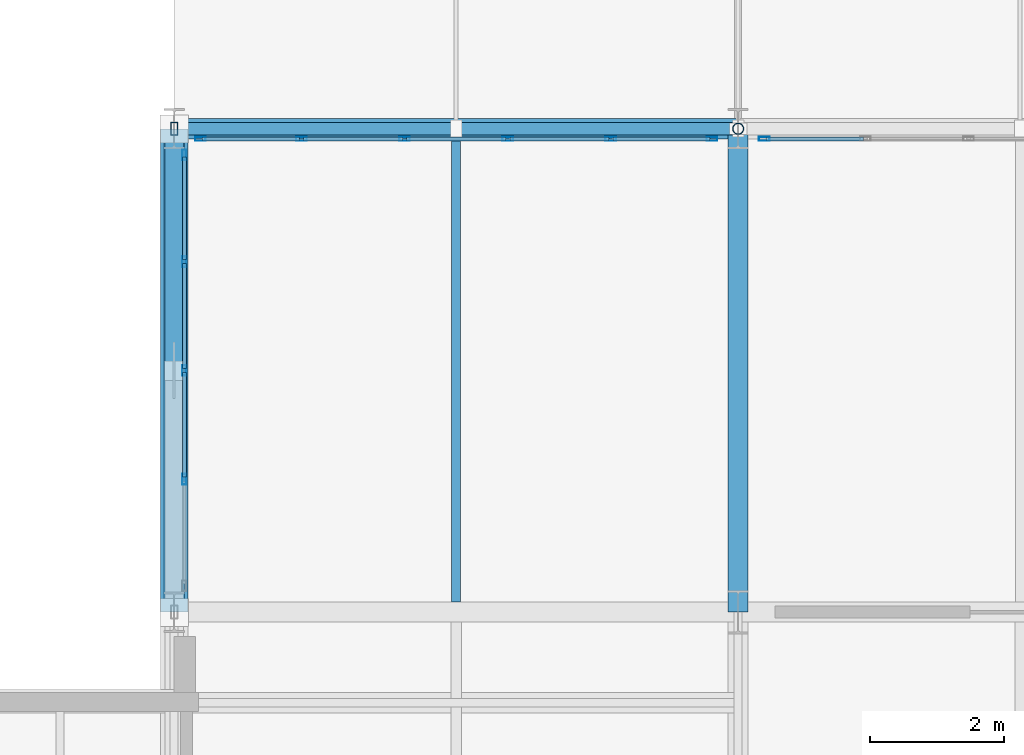
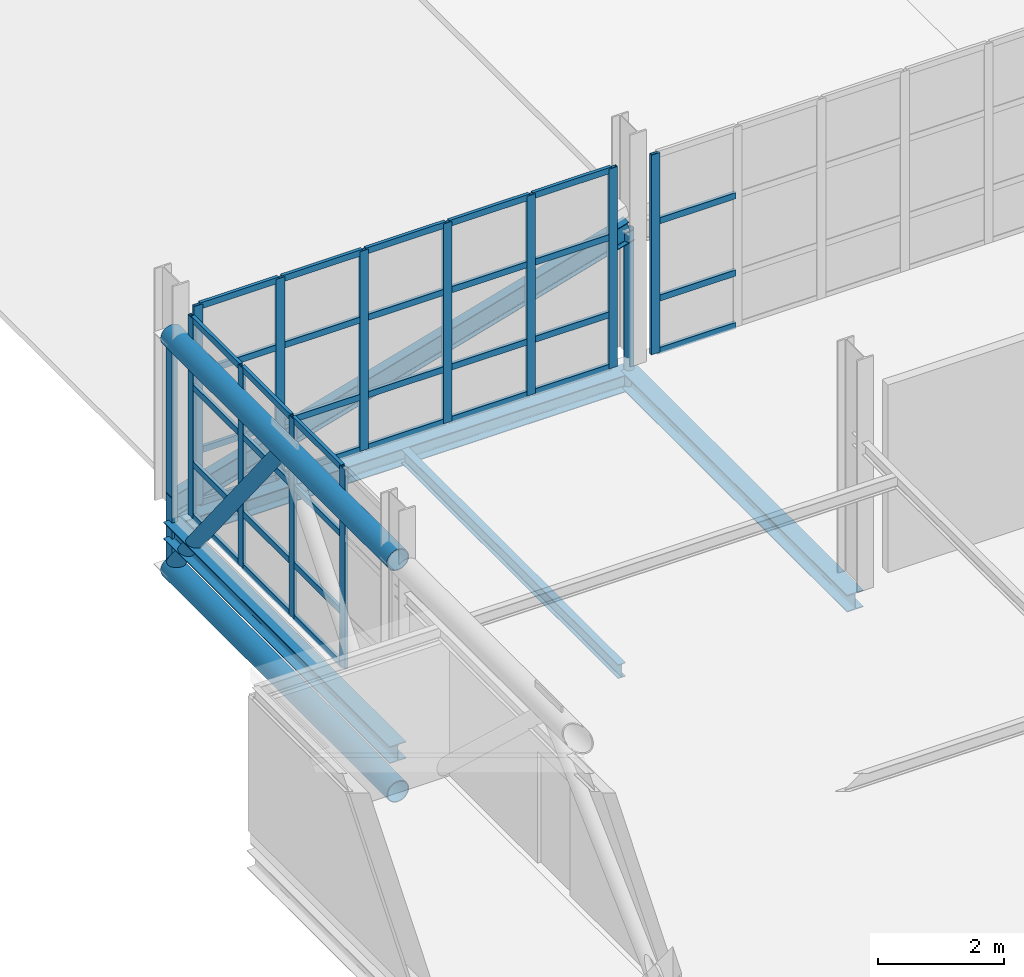
# One storey, part 18 of 130: 51 members, 5 beams, 3 elements without a shape of their own.
"""IFC4 building model written with IfcOpenShell, lengths in metres."""

from ifc_helpers import new_model, si_unit, direction, frame, origin, origin_2d, place, context, subcontext, project, spatial, hollow_rectangle, hollow_circle, i_section, extrude, material, material_profile, profile_set, type_object, element, aggregate, save


model = new_model("IFC4")

# Units and contexts
model_context = context("Model", 3, precision=1e-05, world=origin(), true_north=direction((0.0, 1.0)))
body_context = subcontext(model_context, "Body", "Model", "MODEL_VIEW")
ifc_project = project(units=[si_unit("LENGTHUNIT", "METRE"), si_unit("AREAUNIT", "SQUARE_METRE"), si_unit("VOLUMEUNIT", "CUBIC_METRE"), si_unit("PLANEANGLEUNIT", "RADIAN"), si_unit("MASSUNIT", "GRAM", prefix="KILO")], contexts=[model_context])

# Site, building, storey
site_placement = place(None, origin())
site = spatial("IfcSite", under=ifc_project, at=site_placement, CompositionType="ELEMENT")
building_placement = place(site_placement, origin())
building = spatial("IfcBuilding", under=site, at=building_placement, Name="Veltarok Museum of Natural Sciences", CompositionType="ELEMENT")
storey_placement = place(building_placement, frame((0.0, 0.0, 12.89990234375)))
storey = spatial("IfcBuildingStorey", under=building, at=storey_placement, Name="L02", CompositionType="ELEMENT", Elevation=12.89990234375)

# Curtain wall, members
ifc_material_1 = material(Name="Low-iron triple insulated glass", Category="glass")
curtain_wall_type_1 = type_object("IfcCurtainWallType", Name="Curtain Wall System CW-BRG-N-L02-1-768x388 (Bridge North Court L02 1-2 768x388cm)", PredefinedType="NOTDEFINED", material=ifc_material_1)
curtain_wall_1_placement = place(storey_placement, origin())
curtain_wall_1 = element("IfcCurtainWall", 1, at=curtain_wall_1_placement, inside=storey, type_object=curtain_wall_type_1, Name="Curtain Wall CW-BRG-N-L02-1-768x388 CW-0033", PredefinedType="NOTDEFINED")
ifc_material_2 = material(Name="Thermally broken anodised aluminium", Category="aluminium")
ifc_material_profile_1 = material_profile(ifc_material_2, hollow_rectangle(XDim=0.06005859375, YDim=0.1201171875, WallThickness=0.0048828125, at=origin_2d()), Name="CW TRANSOM 60x120x5")
ifc_profile_set_1 = profile_set([ifc_material_profile_1], Name="Thermally broken anodised aluminium")
member_type_1 = type_object("IfcMemberType", Name="Curtain Wall Horizontal Transom 60x120x5", PredefinedType="USERDEFINED", material=ifc_profile_set_1)
member_1_placement = place(storey_placement, frame((14.3798828125, 26.25, 0.030029296875), z_axis=(-1.0, 0.0, 0.0), x_axis=(0.0, -1.0, 0.0)))
member_1 = element("IfcMember", 2, at=member_1_placement, type_object=member_type_1, Name="CW-BRG-N-L02-1-768x388 transom 1.1", ObjectType="TRANSOM", PredefinedType="USERDEFINED", context=body_context, shape_type="SweptSolid", body=[
    extrude(hollow_rectangle(XDim=0.06005859375, YDim=0.1201171875, WallThickness=0.0048828125, at=origin_2d()), origin(), (0.0, 0.0, 1.0), 1.44580078125),
])
member_2_placement = place(storey_placement, frame((14.3798828125, 26.25, 1.050048828125), z_axis=(-1.0, 0.0, 0.0), x_axis=(0.0, -1.0, 0.0)))
member_2 = element("IfcMember", 3, at=member_2_placement, type_object=member_type_1, Name="CW-BRG-N-L02-1-768x388 transom 1.2", ObjectType="TRANSOM", PredefinedType="USERDEFINED", context=body_context, shape_type="SweptSolid", body=[
    extrude(hollow_rectangle(XDim=0.06005859375, YDim=0.1201171875, WallThickness=0.0048828125, at=origin_2d()), origin(), (0.0, 0.0, 1.0), 1.44580078125),
])
member_3_placement = place(storey_placement, frame((14.3798828125, 26.25, 2.550048828125), z_axis=(-1.0, 0.0, 0.0), x_axis=(0.0, -1.0, 0.0)))
member_3 = element("IfcMember", 4, at=member_3_placement, type_object=member_type_1, Name="CW-BRG-N-L02-1-768x388 transom 1.3", ObjectType="TRANSOM", PredefinedType="USERDEFINED", context=body_context, shape_type="SweptSolid", body=[
    extrude(hollow_rectangle(XDim=0.06005859375, YDim=0.1201171875, WallThickness=0.0048828125, at=origin_2d()), origin(), (0.0, 0.0, 1.0), 1.44580078125),
])
member_4_placement = place(storey_placement, frame((14.3798828125, 26.25, 3.85009765625), z_axis=(-1.0, 0.0, 0.0), x_axis=(0.0, -1.0, 0.0)))
member_4 = element("IfcMember", 5, at=member_4_placement, type_object=member_type_1, Name="CW-BRG-N-L02-1-768x388 transom 1.4", ObjectType="TRANSOM", PredefinedType="USERDEFINED", context=body_context, shape_type="SweptSolid", body=[
    extrude(hollow_rectangle(XDim=0.06005859375, YDim=0.1201171875, WallThickness=0.0048828125, at=origin_2d()), origin(), (0.0, 0.0, 1.0), 1.44580078125),
])
member_5_placement = place(storey_placement, frame((12.8740234375, 26.25, 0.030029296875), z_axis=(-1.0, 0.0, 0.0), x_axis=(0.0, -1.0, 0.0)))
member_5 = element("IfcMember", 6, at=member_5_placement, type_object=member_type_1, Name="CW-BRG-N-L02-1-768x388 transom 2.1", ObjectType="TRANSOM", PredefinedType="USERDEFINED", context=body_context, shape_type="SweptSolid", body=[
    extrude(hollow_rectangle(XDim=0.06005859375, YDim=0.1201171875, WallThickness=0.0048828125, at=origin_2d()), origin(), (0.0, 0.0, 1.0), 1.47607421875),
])
member_6_placement = place(storey_placement, frame((12.8740234375, 26.25, 1.050048828125), z_axis=(-1.0, 0.0, 0.0), x_axis=(0.0, -1.0, 0.0)))
member_6 = element("IfcMember", 7, at=member_6_placement, type_object=member_type_1, Name="CW-BRG-N-L02-1-768x388 transom 2.2", ObjectType="TRANSOM", PredefinedType="USERDEFINED", context=body_context, shape_type="SweptSolid", body=[
    extrude(hollow_rectangle(XDim=0.06005859375, YDim=0.1201171875, WallThickness=0.0048828125, at=origin_2d()), origin(), (0.0, 0.0, 1.0), 1.47607421875),
])
member_7_placement = place(storey_placement, frame((12.8740234375, 26.25, 2.550048828125), z_axis=(-1.0, 0.0, 0.0), x_axis=(0.0, -1.0, 0.0)))
member_7 = element("IfcMember", 8, at=member_7_placement, type_object=member_type_1, Name="CW-BRG-N-L02-1-768x388 transom 2.3", ObjectType="TRANSOM", PredefinedType="USERDEFINED", context=body_context, shape_type="SweptSolid", body=[
    extrude(hollow_rectangle(XDim=0.06005859375, YDim=0.1201171875, WallThickness=0.0048828125, at=origin_2d()), origin(), (0.0, 0.0, 1.0), 1.47607421875),
])
member_8_placement = place(storey_placement, frame((12.8740234375, 26.25, 3.85009765625), z_axis=(-1.0, 0.0, 0.0), x_axis=(0.0, -1.0, 0.0)))
member_8 = element("IfcMember", 9, at=member_8_placement, type_object=member_type_1, Name="CW-BRG-N-L02-1-768x388 transom 2.4", ObjectType="TRANSOM", PredefinedType="USERDEFINED", context=body_context, shape_type="SweptSolid", body=[
    extrude(hollow_rectangle(XDim=0.06005859375, YDim=0.1201171875, WallThickness=0.0048828125, at=origin_2d()), origin(), (0.0, 0.0, 1.0), 1.47607421875),
])
member_9_placement = place(storey_placement, frame((11.337890625, 26.25, 0.030029296875), z_axis=(-1.0, 0.0, 0.0), x_axis=(0.0, -1.0, 0.0)))
member_9 = element("IfcMember", 10, at=member_9_placement, type_object=member_type_1, Name="CW-BRG-N-L02-1-768x388 transom 3.1", ObjectType="TRANSOM", PredefinedType="USERDEFINED", context=body_context, shape_type="SweptSolid", body=[
    extrude(hollow_rectangle(XDim=0.06005859375, YDim=0.1201171875, WallThickness=0.0048828125, at=origin_2d()), origin(), (0.0, 0.0, 1.0), 1.475830078125),
])
member_10_placement = place(storey_placement, frame((11.337890625, 26.25, 1.050048828125), z_axis=(-1.0, 0.0, 0.0), x_axis=(0.0, -1.0, 0.0)))
member_10 = element("IfcMember", 11, at=member_10_placement, type_object=member_type_1, Name="CW-BRG-N-L02-1-768x388 transom 3.2", ObjectType="TRANSOM", PredefinedType="USERDEFINED", context=body_context, shape_type="SweptSolid", body=[
    extrude(hollow_rectangle(XDim=0.06005859375, YDim=0.1201171875, WallThickness=0.0048828125, at=origin_2d()), origin(), (0.0, 0.0, 1.0), 1.475830078125),
])
member_11_placement = place(storey_placement, frame((11.337890625, 26.25, 2.550048828125), z_axis=(-1.0, 0.0, 0.0), x_axis=(0.0, -1.0, 0.0)))
member_11 = element("IfcMember", 12, at=member_11_placement, type_object=member_type_1, Name="CW-BRG-N-L02-1-768x388 transom 3.3", ObjectType="TRANSOM", PredefinedType="USERDEFINED", context=body_context, shape_type="SweptSolid", body=[
    extrude(hollow_rectangle(XDim=0.06005859375, YDim=0.1201171875, WallThickness=0.0048828125, at=origin_2d()), origin(), (0.0, 0.0, 1.0), 1.475830078125),
])
member_12_placement = place(storey_placement, frame((11.337890625, 26.25, 3.85009765625), z_axis=(-1.0, 0.0, 0.0), x_axis=(0.0, -1.0, 0.0)))
member_12 = element("IfcMember", 13, at=member_12_placement, type_object=member_type_1, Name="CW-BRG-N-L02-1-768x388 transom 3.4", ObjectType="TRANSOM", PredefinedType="USERDEFINED", context=body_context, shape_type="SweptSolid", body=[
    extrude(hollow_rectangle(XDim=0.06005859375, YDim=0.1201171875, WallThickness=0.0048828125, at=origin_2d()), origin(), (0.0, 0.0, 1.0), 1.475830078125),
])
member_13_placement = place(storey_placement, frame((9.802001953125, 26.25, 0.030029296875), z_axis=(-1.0, 0.0, 0.0), x_axis=(0.0, -1.0, 0.0)))
member_13 = element("IfcMember", 14, at=member_13_placement, type_object=member_type_1, Name="CW-BRG-N-L02-1-768x388 transom 4.1", ObjectType="TRANSOM", PredefinedType="USERDEFINED", context=body_context, shape_type="SweptSolid", body=[
    extrude(hollow_rectangle(XDim=0.06005859375, YDim=0.1201171875, WallThickness=0.0048828125, at=origin_2d()), origin(), (0.0, 0.0, 1.0), 1.47607421875),
])
member_14_placement = place(storey_placement, frame((9.802001953125, 26.25, 1.050048828125), z_axis=(-1.0, 0.0, 0.0), x_axis=(0.0, -1.0, 0.0)))
member_14 = element("IfcMember", 15, at=member_14_placement, type_object=member_type_1, Name="CW-BRG-N-L02-1-768x388 transom 4.2", ObjectType="TRANSOM", PredefinedType="USERDEFINED", context=body_context, shape_type="SweptSolid", body=[
    extrude(hollow_rectangle(XDim=0.06005859375, YDim=0.1201171875, WallThickness=0.0048828125, at=origin_2d()), origin(), (0.0, 0.0, 1.0), 1.47607421875),
])
member_15_placement = place(storey_placement, frame((9.802001953125, 26.25, 2.550048828125), z_axis=(-1.0, 0.0, 0.0), x_axis=(0.0, -1.0, 0.0)))
member_15 = element("IfcMember", 16, at=member_15_placement, type_object=member_type_1, Name="CW-BRG-N-L02-1-768x388 transom 4.3", ObjectType="TRANSOM", PredefinedType="USERDEFINED", context=body_context, shape_type="SweptSolid", body=[
    extrude(hollow_rectangle(XDim=0.06005859375, YDim=0.1201171875, WallThickness=0.0048828125, at=origin_2d()), origin(), (0.0, 0.0, 1.0), 1.47607421875),
])
member_16_placement = place(storey_placement, frame((9.802001953125, 26.25, 3.85009765625), z_axis=(-1.0, 0.0, 0.0), x_axis=(0.0, -1.0, 0.0)))
member_16 = element("IfcMember", 17, at=member_16_placement, type_object=member_type_1, Name="CW-BRG-N-L02-1-768x388 transom 4.4", ObjectType="TRANSOM", PredefinedType="USERDEFINED", context=body_context, shape_type="SweptSolid", body=[
    extrude(hollow_rectangle(XDim=0.06005859375, YDim=0.1201171875, WallThickness=0.0048828125, at=origin_2d()), origin(), (0.0, 0.0, 1.0), 1.47607421875),
])
member_17_placement = place(storey_placement, frame((8.26611328125, 26.25, 0.030029296875), z_axis=(-1.0, 0.0, 0.0), x_axis=(0.0, -1.0, 0.0)))
member_17 = element("IfcMember", 18, at=member_17_placement, type_object=member_type_1, Name="CW-BRG-N-L02-1-768x388 transom 5.1", ObjectType="TRANSOM", PredefinedType="USERDEFINED", context=body_context, shape_type="SweptSolid", body=[
    extrude(hollow_rectangle(XDim=0.06005859375, YDim=0.1201171875, WallThickness=0.0048828125, at=origin_2d()), origin(), (0.0, 0.0, 1.0), 1.446044921875),
])
member_18_placement = place(storey_placement, frame((8.26611328125, 26.25, 1.050048828125), z_axis=(-1.0, 0.0, 0.0), x_axis=(0.0, -1.0, 0.0)))
member_18 = element("IfcMember", 19, at=member_18_placement, type_object=member_type_1, Name="CW-BRG-N-L02-1-768x388 transom 5.2", ObjectType="TRANSOM", PredefinedType="USERDEFINED", context=body_context, shape_type="SweptSolid", body=[
    extrude(hollow_rectangle(XDim=0.06005859375, YDim=0.1201171875, WallThickness=0.0048828125, at=origin_2d()), origin(), (0.0, 0.0, 1.0), 1.446044921875),
])
member_19_placement = place(storey_placement, frame((8.26611328125, 26.25, 2.550048828125), z_axis=(-1.0, 0.0, 0.0), x_axis=(0.0, -1.0, 0.0)))
member_19 = element("IfcMember", 20, at=member_19_placement, type_object=member_type_1, Name="CW-BRG-N-L02-1-768x388 transom 5.3", ObjectType="TRANSOM", PredefinedType="USERDEFINED", context=body_context, shape_type="SweptSolid", body=[
    extrude(hollow_rectangle(XDim=0.06005859375, YDim=0.1201171875, WallThickness=0.0048828125, at=origin_2d()), origin(), (0.0, 0.0, 1.0), 1.446044921875),
])
member_20_placement = place(storey_placement, frame((8.26611328125, 26.25, 3.85009765625), z_axis=(-1.0, 0.0, 0.0), x_axis=(0.0, -1.0, 0.0)))
member_20 = element("IfcMember", 21, at=member_20_placement, type_object=member_type_1, Name="CW-BRG-N-L02-1-768x388 transom 5.4", ObjectType="TRANSOM", PredefinedType="USERDEFINED", context=body_context, shape_type="SweptSolid", body=[
    extrude(hollow_rectangle(XDim=0.06005859375, YDim=0.1201171875, WallThickness=0.0048828125, at=origin_2d()), origin(), (0.0, 0.0, 1.0), 1.446044921875),
])

curtain_wall_type_2 = type_object("IfcCurtainWallType", Name="Curtain Wall System CW-BRG-N-L02-2-768x388 (Bridge North Court L02 2-3 768x388cm)", PredefinedType="NOTDEFINED", material=ifc_material_1)
curtain_wall_2_placement = place(storey_placement, origin())
curtain_wall_2 = element("IfcCurtainWall", 22, at=curtain_wall_2_placement, inside=storey, type_object=curtain_wall_type_2, Name="Curtain Wall CW-BRG-N-L02-2-768x388 CW-0034", PredefinedType="NOTDEFINED")
member_21_placement = place(storey_placement, frame((16.666015625, 26.25, 0.030029296875), z_axis=(-1.0, 0.0, 0.0), x_axis=(0.0, -1.0, 0.0)))
member_21 = element("IfcMember", 23, at=member_21_placement, type_object=member_type_1, Name="CW-BRG-N-L02-2-768x388 transom 5.1", ObjectType="TRANSOM", PredefinedType="USERDEFINED", context=body_context, shape_type="SweptSolid", body=[
    extrude(hollow_rectangle(XDim=0.06005859375, YDim=0.1201171875, WallThickness=0.0048828125, at=origin_2d()), origin(), (0.0, 0.0, 1.0), 1.446044921875),
])
member_22_placement = place(storey_placement, frame((16.666015625, 26.25, 1.050048828125), z_axis=(-1.0, 0.0, 0.0), x_axis=(0.0, -1.0, 0.0)))
member_22 = element("IfcMember", 24, at=member_22_placement, type_object=member_type_1, Name="CW-BRG-N-L02-2-768x388 transom 5.2", ObjectType="TRANSOM", PredefinedType="USERDEFINED", context=body_context, shape_type="SweptSolid", body=[
    extrude(hollow_rectangle(XDim=0.06005859375, YDim=0.1201171875, WallThickness=0.0048828125, at=origin_2d()), origin(), (0.0, 0.0, 1.0), 1.446044921875),
])
member_23_placement = place(storey_placement, frame((16.666015625, 26.25, 2.550048828125), z_axis=(-1.0, 0.0, 0.0), x_axis=(0.0, -1.0, 0.0)))
member_23 = element("IfcMember", 25, at=member_23_placement, type_object=member_type_1, Name="CW-BRG-N-L02-2-768x388 transom 5.3", ObjectType="TRANSOM", PredefinedType="USERDEFINED", context=body_context, shape_type="SweptSolid", body=[
    extrude(hollow_rectangle(XDim=0.06005859375, YDim=0.1201171875, WallThickness=0.0048828125, at=origin_2d()), origin(), (0.0, 0.0, 1.0), 1.446044921875),
])

curtain_wall_type_3 = type_object("IfcCurtainWallType", Name="Curtain Wall System CW-BRG-W-L02-CD-648x388 (Bridge West Forecourt L02 C-D 648x388cm)", PredefinedType="NOTDEFINED", material=ifc_material_1)
curtain_wall_3_placement = place(storey_placement, origin())
curtain_wall_3 = element("IfcCurtainWall", 26, at=curtain_wall_3_placement, inside=storey, type_object=curtain_wall_type_3, Name="Curtain Wall CW-BRG-W-L02-CD-648x388 CW-0036", PredefinedType="NOTDEFINED")
member_24_placement = place(storey_placement, frame((6.550048828125, 25.97998046875, 0.030029296875), z_axis=(0.0, -1.0, 0.0), x_axis=(1.0, 0.0, 0.0)))
member_24 = element("IfcMember", 27, at=member_24_placement, type_object=member_type_1, Name="CW-BRG-W-L02-CD-648x388 transom 1.1", ObjectType="TRANSOM", PredefinedType="USERDEFINED", context=body_context, shape_type="SweptSolid", body=[
    extrude(hollow_rectangle(XDim=0.06005859375, YDim=0.1201171875, WallThickness=0.0048828125, at=origin_2d()), origin(), (0.0, 0.0, 1.0), 1.530029296875),
])
member_25_placement = place(storey_placement, frame((6.550048828125, 25.97998046875, 1.050048828125), z_axis=(0.0, -1.0, 0.0), x_axis=(1.0, 0.0, 0.0)))
member_25 = element("IfcMember", 28, at=member_25_placement, type_object=member_type_1, Name="CW-BRG-W-L02-CD-648x388 transom 1.2", ObjectType="TRANSOM", PredefinedType="USERDEFINED", context=body_context, shape_type="SweptSolid", body=[
    extrude(hollow_rectangle(XDim=0.06005859375, YDim=0.1201171875, WallThickness=0.0048828125, at=origin_2d()), origin(), (0.0, 0.0, 1.0), 1.530029296875),
])
member_26_placement = place(storey_placement, frame((6.550048828125, 25.97998046875, 2.550048828125), z_axis=(0.0, -1.0, 0.0), x_axis=(1.0, 0.0, 0.0)))
member_26 = element("IfcMember", 29, at=member_26_placement, type_object=member_type_1, Name="CW-BRG-W-L02-CD-648x388 transom 1.3", ObjectType="TRANSOM", PredefinedType="USERDEFINED", context=body_context, shape_type="SweptSolid", body=[
    extrude(hollow_rectangle(XDim=0.06005859375, YDim=0.1201171875, WallThickness=0.0048828125, at=origin_2d()), origin(), (0.0, 0.0, 1.0), 1.530029296875),
])
member_27_placement = place(storey_placement, frame((6.550048828125, 25.97998046875, 3.85009765625), z_axis=(0.0, -1.0, 0.0), x_axis=(1.0, 0.0, 0.0)))
member_27 = element("IfcMember", 30, at=member_27_placement, type_object=member_type_1, Name="CW-BRG-W-L02-CD-648x388 transom 1.4", ObjectType="TRANSOM", PredefinedType="USERDEFINED", context=body_context, shape_type="SweptSolid", body=[
    extrude(hollow_rectangle(XDim=0.06005859375, YDim=0.1201171875, WallThickness=0.0048828125, at=origin_2d()), origin(), (0.0, 0.0, 1.0), 1.530029296875),
])
member_28_placement = place(storey_placement, frame((6.550048828125, 24.389892578125, 0.030029296875), z_axis=(0.0, -1.0, 0.0), x_axis=(1.0, 0.0, 0.0)))
member_28 = element("IfcMember", 31, at=member_28_placement, type_object=member_type_1, Name="CW-BRG-W-L02-CD-648x388 transom 2.1", ObjectType="TRANSOM", PredefinedType="USERDEFINED", context=body_context, shape_type="SweptSolid", body=[
    extrude(hollow_rectangle(XDim=0.06005859375, YDim=0.1201171875, WallThickness=0.0048828125, at=origin_2d()), origin(), (0.0, 0.0, 1.0), 1.559814453125),
])
member_29_placement = place(storey_placement, frame((6.550048828125, 24.389892578125, 1.050048828125), z_axis=(0.0, -1.0, 0.0), x_axis=(1.0, 0.0, 0.0)))
member_29 = element("IfcMember", 32, at=member_29_placement, type_object=member_type_1, Name="CW-BRG-W-L02-CD-648x388 transom 2.2", ObjectType="TRANSOM", PredefinedType="USERDEFINED", context=body_context, shape_type="SweptSolid", body=[
    extrude(hollow_rectangle(XDim=0.06005859375, YDim=0.1201171875, WallThickness=0.0048828125, at=origin_2d()), origin(), (0.0, 0.0, 1.0), 1.559814453125),
])
member_30_placement = place(storey_placement, frame((6.550048828125, 24.389892578125, 2.550048828125), z_axis=(0.0, -1.0, 0.0), x_axis=(1.0, 0.0, 0.0)))
member_30 = element("IfcMember", 33, at=member_30_placement, type_object=member_type_1, Name="CW-BRG-W-L02-CD-648x388 transom 2.3", ObjectType="TRANSOM", PredefinedType="USERDEFINED", context=body_context, shape_type="SweptSolid", body=[
    extrude(hollow_rectangle(XDim=0.06005859375, YDim=0.1201171875, WallThickness=0.0048828125, at=origin_2d()), origin(), (0.0, 0.0, 1.0), 1.559814453125),
])
member_31_placement = place(storey_placement, frame((6.550048828125, 24.389892578125, 3.85009765625), z_axis=(0.0, -1.0, 0.0), x_axis=(1.0, 0.0, 0.0)))
member_31 = element("IfcMember", 34, at=member_31_placement, type_object=member_type_1, Name="CW-BRG-W-L02-CD-648x388 transom 2.4", ObjectType="TRANSOM", PredefinedType="USERDEFINED", context=body_context, shape_type="SweptSolid", body=[
    extrude(hollow_rectangle(XDim=0.06005859375, YDim=0.1201171875, WallThickness=0.0048828125, at=origin_2d()), origin(), (0.0, 0.0, 1.0), 1.559814453125),
])
member_32_placement = place(storey_placement, frame((6.550048828125, 22.77001953125, 0.030029296875), z_axis=(0.0, -1.0, 0.0), x_axis=(1.0, 0.0, 0.0)))
member_32 = element("IfcMember", 35, at=member_32_placement, type_object=member_type_1, Name="CW-BRG-W-L02-CD-648x388 transom 3.1", ObjectType="TRANSOM", PredefinedType="USERDEFINED", context=body_context, shape_type="SweptSolid", body=[
    extrude(hollow_rectangle(XDim=0.06005859375, YDim=0.1201171875, WallThickness=0.0048828125, at=origin_2d()), origin(), (0.0, 0.0, 1.0), 1.56005859375),
])
member_33_placement = place(storey_placement, frame((6.550048828125, 22.77001953125, 1.050048828125), z_axis=(0.0, -1.0, 0.0), x_axis=(1.0, 0.0, 0.0)))
member_33 = element("IfcMember", 36, at=member_33_placement, type_object=member_type_1, Name="CW-BRG-W-L02-CD-648x388 transom 3.2", ObjectType="TRANSOM", PredefinedType="USERDEFINED", context=body_context, shape_type="SweptSolid", body=[
    extrude(hollow_rectangle(XDim=0.06005859375, YDim=0.1201171875, WallThickness=0.0048828125, at=origin_2d()), origin(), (0.0, 0.0, 1.0), 1.56005859375),
])
member_34_placement = place(storey_placement, frame((6.550048828125, 22.77001953125, 2.550048828125), z_axis=(0.0, -1.0, 0.0), x_axis=(1.0, 0.0, 0.0)))
member_34 = element("IfcMember", 37, at=member_34_placement, type_object=member_type_1, Name="CW-BRG-W-L02-CD-648x388 transom 3.3", ObjectType="TRANSOM", PredefinedType="USERDEFINED", context=body_context, shape_type="SweptSolid", body=[
    extrude(hollow_rectangle(XDim=0.06005859375, YDim=0.1201171875, WallThickness=0.0048828125, at=origin_2d()), origin(), (0.0, 0.0, 1.0), 1.56005859375),
])
member_35_placement = place(storey_placement, frame((6.550048828125, 22.77001953125, 3.85009765625), z_axis=(0.0, -1.0, 0.0), x_axis=(1.0, 0.0, 0.0)))
member_35 = element("IfcMember", 38, at=member_35_placement, type_object=member_type_1, Name="CW-BRG-W-L02-CD-648x388 transom 3.4", ObjectType="TRANSOM", PredefinedType="USERDEFINED", context=body_context, shape_type="SweptSolid", body=[
    extrude(hollow_rectangle(XDim=0.06005859375, YDim=0.1201171875, WallThickness=0.0048828125, at=origin_2d()), origin(), (0.0, 0.0, 1.0), 1.56005859375),
])

# Member
ifc_material_profile_2 = material_profile(ifc_material_2, hollow_rectangle(XDim=0.06005859375, YDim=0.159912109375, WallThickness=0.0048828125, at=origin_2d()), Name="CW MULLION 60x160x5")
ifc_profile_set_2 = profile_set([ifc_material_profile_2], Name="Thermally broken anodised aluminium")
member_type_2 = type_object("IfcMemberType", Name="Curtain Wall Vertical Mullion 60x160x5", PredefinedType="MULLION", material=ifc_profile_set_2)
member_36_placement = place(storey_placement, frame((14.409912109375, 26.25, 0.0), z_axis=(0.0, 0.0, 1.0), x_axis=(0.0, -1.0, 0.0)))
member_36 = element("IfcMember", 39, at=member_36_placement, type_object=member_type_2, Name="CW-BRG-N-L02-1-768x388 mullion 1", PredefinedType="MULLION", context=body_context, shape_type="SweptSolid", body=[
    extrude(hollow_rectangle(XDim=0.06005859375, YDim=0.159912109375, WallThickness=0.0048828125, at=origin_2d()), origin(), (0.0, 0.0, 1.0), 3.880126953125),
])

member_37_placement = place(storey_placement, frame((12.904052734375, 26.25, 0.0), z_axis=(0.0, 0.0, 1.0), x_axis=(0.0, -1.0, 0.0)))
member_37 = element("IfcMember", 40, at=member_37_placement, type_object=member_type_2, Name="CW-BRG-N-L02-1-768x388 mullion 2", PredefinedType="MULLION", context=body_context, shape_type="SweptSolid", body=[
    extrude(hollow_rectangle(XDim=0.06005859375, YDim=0.159912109375, WallThickness=0.0048828125, at=origin_2d()), origin(), (0.0, 0.0, 1.0), 3.880126953125),
])

member_38_placement = place(storey_placement, frame((11.367919921875, 26.25, 0.0), z_axis=(0.0, 0.0, 1.0), x_axis=(0.0, -1.0, 0.0)))
member_38 = element("IfcMember", 41, at=member_38_placement, type_object=member_type_2, Name="CW-BRG-N-L02-1-768x388 mullion 3", PredefinedType="MULLION", context=body_context, shape_type="SweptSolid", body=[
    extrude(hollow_rectangle(XDim=0.06005859375, YDim=0.159912109375, WallThickness=0.0048828125, at=origin_2d()), origin(), (0.0, 0.0, 1.0), 3.880126953125),
])

member_39_placement = place(storey_placement, frame((9.83203125, 26.25, 0.0), z_axis=(0.0, 0.0, 1.0), x_axis=(0.0, -1.0, 0.0)))
member_39 = element("IfcMember", 42, at=member_39_placement, type_object=member_type_2, Name="CW-BRG-N-L02-1-768x388 mullion 4", PredefinedType="MULLION", context=body_context, shape_type="SweptSolid", body=[
    extrude(hollow_rectangle(XDim=0.06005859375, YDim=0.159912109375, WallThickness=0.0048828125, at=origin_2d()), origin(), (0.0, 0.0, 1.0), 3.880126953125),
])

member_40_placement = place(storey_placement, frame((8.2958984375, 26.25, 0.0), z_axis=(0.0, 0.0, 1.0), x_axis=(0.0, -1.0, 0.0)))
member_40 = element("IfcMember", 43, at=member_40_placement, type_object=member_type_2, Name="CW-BRG-N-L02-1-768x388 mullion 5", PredefinedType="MULLION", context=body_context, shape_type="SweptSolid", body=[
    extrude(hollow_rectangle(XDim=0.06005859375, YDim=0.159912109375, WallThickness=0.0048828125, at=origin_2d()), origin(), (0.0, 0.0, 1.0), 3.880126953125),
])

member_41_placement = place(storey_placement, frame((6.7900390625, 26.25, 0.0), z_axis=(0.0, 0.0, 1.0), x_axis=(0.0, -1.0, 0.0)))
member_41 = element("IfcMember", 44, at=member_41_placement, type_object=member_type_2, Name="CW-BRG-N-L02-1-768x388 mullion 6", PredefinedType="MULLION", context=body_context, shape_type="SweptSolid", body=[
    extrude(hollow_rectangle(XDim=0.06005859375, YDim=0.159912109375, WallThickness=0.0048828125, at=origin_2d()), origin(), (0.0, 0.0, 1.0), 3.880126953125),
])

aggregate(curtain_wall_1, [member_36, member_37, member_38, member_39, member_40, member_41, member_1, member_2, member_3, member_4, member_5, member_6, member_7, member_8, member_9, member_10, member_11, member_12, member_13, member_14, member_15, member_16, member_17, member_18, member_19, member_20])

member_42_placement = place(storey_placement, frame((15.18994140625, 26.25, 0.0), z_axis=(0.0, 0.0, 1.0), x_axis=(0.0, -1.0, 0.0)))
member_42 = element("IfcMember", 45, at=member_42_placement, type_object=member_type_2, Name="CW-BRG-N-L02-2-768x388 mullion 6", PredefinedType="MULLION", context=body_context, shape_type="SweptSolid", body=[
    extrude(hollow_rectangle(XDim=0.06005859375, YDim=0.159912109375, WallThickness=0.0048828125, at=origin_2d()), origin(), (0.0, 0.0, 1.0), 3.880126953125),
])

aggregate(curtain_wall_2, [member_42, member_21, member_22, member_23])

member_43_placement = place(storey_placement, frame((6.550048828125, 26.010009765625, 0.0), z_axis=(0.0, 0.0, 1.0), x_axis=(1.0, 0.0, 0.0)))
member_43 = element("IfcMember", 46, at=member_43_placement, type_object=member_type_2, Name="CW-BRG-W-L02-CD-648x388 mullion 1", PredefinedType="MULLION", context=body_context, shape_type="SweptSolid", body=[
    extrude(hollow_rectangle(XDim=0.06005859375, YDim=0.159912109375, WallThickness=0.0048828125, at=origin_2d()), origin(), (0.0, 0.0, 1.0), 3.880126953125),
])

member_44_placement = place(storey_placement, frame((6.550048828125, 24.419921875, 0.0), z_axis=(0.0, 0.0, 1.0), x_axis=(1.0, 0.0, 0.0)))
member_44 = element("IfcMember", 47, at=member_44_placement, type_object=member_type_2, Name="CW-BRG-W-L02-CD-648x388 mullion 2", PredefinedType="MULLION", context=body_context, shape_type="SweptSolid", body=[
    extrude(hollow_rectangle(XDim=0.06005859375, YDim=0.159912109375, WallThickness=0.0048828125, at=origin_2d()), origin(), (0.0, 0.0, 1.0), 3.880126953125),
])

member_45_placement = place(storey_placement, frame((6.550048828125, 22.800048828125, 0.0), z_axis=(0.0, 0.0, 1.0), x_axis=(1.0, 0.0, 0.0)))
member_45 = element("IfcMember", 48, at=member_45_placement, type_object=member_type_2, Name="CW-BRG-W-L02-CD-648x388 mullion 3", PredefinedType="MULLION", context=body_context, shape_type="SweptSolid", body=[
    extrude(hollow_rectangle(XDim=0.06005859375, YDim=0.159912109375, WallThickness=0.0048828125, at=origin_2d()), origin(), (0.0, 0.0, 1.0), 3.880126953125),
])

member_46_placement = place(storey_placement, frame((6.550048828125, 21.179931640625, 0.0), z_axis=(0.0, 0.0, 1.0), x_axis=(1.0, 0.0, 0.0)))
member_46 = element("IfcMember", 49, at=member_46_placement, type_object=member_type_2, Name="CW-BRG-W-L02-CD-648x388 mullion 4", PredefinedType="MULLION", context=body_context, shape_type="SweptSolid", body=[
    extrude(hollow_rectangle(XDim=0.06005859375, YDim=0.159912109375, WallThickness=0.0048828125, at=origin_2d()), origin(), (0.0, 0.0, 1.0), 3.880126953125),
])

aggregate(curtain_wall_3, [member_43, member_44, member_45, member_46, member_24, member_25, member_26, member_27, member_28, member_29, member_30, member_31, member_32, member_33, member_34, member_35])

ifc_material_3 = material(Name="Oxide-red painted Steel S355J2", Category="steel")
ifc_material_profile_3 = material_profile(ifc_material_3, hollow_rectangle(XDim=0.10009765625, YDim=0.199951171875, WallThickness=0.008056640625, at=origin_2d()), Name="RHS 200x100x8")
ifc_profile_set_3 = profile_set([ifc_material_profile_3], Name="Oxide-red painted Steel S355J2")
member_type_3 = type_object("IfcMemberType", Name="Monitor and Transfer Vertical Post RHS 200x100x8", PredefinedType="STRUT", material=ifc_profile_set_3)
member_47_placement = place(storey_placement, frame((6.39990234375, 26.39990234375, -1.169921875), z_axis=(0.0, 0.0, 1.0), x_axis=(1.0, 0.0, 0.0)))
element("IfcMember", 50, at=member_47_placement, inside=storey, type_object=member_type_3, Name="Transfer Truss Post 1 Y=26.4", PredefinedType="STRUT", context=body_context, shape_type="SweptSolid", body=[
    extrude(hollow_rectangle(XDim=0.10009765625, YDim=0.199951171875, WallThickness=0.008056640625, at=origin_2d()), origin(), (0.0, 0.0, 1.0), 4.5),
])

# Beams
ifc_material_4 = material(Name="Steel S355J2", Category="steel")
ifc_material_profile_4 = material_profile(ifc_material_4, i_section(OverallWidth=0.300048828125, OverallDepth=0.330078125, WebThickness=0.009521484375, FlangeThickness=0.0166015625, FilletRadius=0.027099609375, at=origin_2d()), Name="HEA 340")
ifc_profile_set_4 = profile_set([ifc_material_profile_4], Name="Steel S355J2")
beam_type_1 = type_object("IfcBeamType", Name="Perimeter Upper Spandrel HEA 340", PredefinedType="SPANDREL", material=ifc_profile_set_4)
beam_1_placement = place(storey_placement, frame((6.39990234375, 26.39990234375, -0.414794921875), z_axis=(1.0, 0.0, 0.0), x_axis=(0.0, 1.0, 0.0)))
element("IfcBeam", 51, at=beam_1_placement, inside=storey, type_object=beam_type_1, Name="Beam BM-SP05 L02 1-2/D", PredefinedType="SPANDREL", context=body_context, shape_type="SweptSolid", body=[
    extrude(i_section(OverallWidth=0.300048828125, OverallDepth=0.330078125, WebThickness=0.009521484375, FlangeThickness=0.0166015625, FilletRadius=0.027099609375, at=origin_2d()), origin(), (0.0, 0.0, 1.0), 8.400146484375),
])
for number, where, z_axis, x_axis, name in (
    (52, (6.39990234375, 19.199951171875, -0.414794921875), (0.0, 1.0, 0.0), (-1.0, 0.0, 0.0), "Beam BM-SP05 L02 1/C-D"),
    (53, (14.800048828125, 19.199951171875, -0.414794921875), (0.0, 1.0, 0.0), (-1.0, 0.0, 0.0), "Beam BM-SP05 L02 2/C-D"),
):
    element("IfcBeam", number, at=place(storey_placement, frame(where, z_axis=z_axis, x_axis=x_axis)), inside=storey, type_object=beam_type_1, Name=name, PredefinedType="SPANDREL", context=body_context, shape_type="SweptSolid", body=[
        extrude(i_section(OverallWidth=0.300048828125, OverallDepth=0.330078125, WebThickness=0.009521484375, FlangeThickness=0.0166015625, FilletRadius=0.027099609375, at=origin_2d()), origin(), (0.0, 0.0, 1.0), 7.199951171875),
    ])

# Member
ifc_material_profile_5 = material_profile(ifc_material_3, hollow_circle(Radius=0.084228515625, WallThickness=0.008056640625, at=origin_2d()), Name="CHS 168.3x8")
ifc_profile_set_5 = profile_set([ifc_material_profile_5], Name="Oxide-red painted Steel S355J2")
member_type_4 = type_object("IfcMemberType", Name="Sawtooth Truss Vertical Strut CHS 168.3x8", PredefinedType="STRUT", material=ifc_profile_set_5)
member_48_placement = place(storey_placement, frame((14.800048828125, 26.39990234375, -0.599853515625), z_axis=(0.0, 0.0, 1.0), x_axis=(1.0, 0.0, 0.0)))
element("IfcMember", 54, at=member_48_placement, inside=storey, type_object=member_type_4, Name="Auditorium Ridge King-Post Y=26.4", PredefinedType="STRUT", context=body_context, shape_type="SweptSolid", body=[
    extrude(hollow_circle(Radius=0.084228515625, WallThickness=0.008056640625, at=origin_2d()), origin(), (0.0, 0.0, 1.0), 3.06103515625),
])

# Beams
ifc_material_profile_6 = material_profile(ifc_material_4, i_section(OverallWidth=0.179931640625, OverallDepth=0.39990234375, WebThickness=0.008544921875, FlangeThickness=0.013427734375, FilletRadius=0.02099609375, at=origin_2d()), Name="IPE 400")
ifc_profile_set_6 = profile_set([ifc_material_profile_6], Name="Steel S355J2")
beam_type_2 = type_object("IfcBeamType", Name="Sawtooth and Folded Roof Rafter IPE 400", PredefinedType="BEAM", material=ifc_profile_set_6)
beam_2_placement = place(storey_placement, frame((6.39990234375, 26.39990234375, 0.05126953125), z_axis=(0.961225035596, 0.0, 0.275765173551), x_axis=(0.0, 1.0, 0.0)))
element("IfcBeam", 55, at=beam_2_placement, inside=storey, type_object=beam_type_2, Name="Auditorium Roof Rafter Y=26.4 1", PredefinedType="BEAM", context=body_context, shape_type="SweptSolid", body=[
    extrude(i_section(OverallWidth=0.179931640625, OverallDepth=0.39990234375, WebThickness=0.008544921875, FlangeThickness=0.013427734375, FilletRadius=0.02099609375, at=origin_2d()), origin(), (0.0, 0.0, 1.0), 8.739013671875),
])
ifc_material_profile_7 = material_profile(ifc_material_4, i_section(OverallWidth=0.135009765625, OverallDepth=0.27001953125, WebThickness=0.006591796875, FlangeThickness=0.01025390625, FilletRadius=0.014892578125, at=origin_2d()), Name="IPE 270")
ifc_profile_set_7 = profile_set([ifc_material_profile_7], Name="Steel S355J2")
beam_type_3 = type_object("IfcBeamType", Name="Short-Bay Composite Joist IPE 270", PredefinedType="JOIST", material=ifc_profile_set_7)
beam_3_placement = place(storey_placement, frame((10.60009765625, 19.347900390625, -0.385009765625), z_axis=(0.0, 1.0, 0.0), x_axis=(-1.0, 0.0, 0.0)))
element("IfcBeam", 56, at=beam_3_placement, inside=storey, type_object=beam_type_3, Name="Secondary Joist BM-J04 L02 1-2/C-D.1", PredefinedType="JOIST", context=body_context, shape_type="SweptSolid", body=[
    extrude(i_section(OverallWidth=0.135009765625, OverallDepth=0.27001953125, WebThickness=0.006591796875, FlangeThickness=0.01025390625, FilletRadius=0.014892578125, at=origin_2d()), origin(), (0.0, 0.0, 1.0), 6.904052734375),
])

# Members
ifc_material_profile_8 = material_profile(ifc_material_3, hollow_circle(Radius=0.203125, WallThickness=0.01611328125, at=origin_2d()), Name="CHS 406.4x16")
ifc_profile_set_8 = profile_set([ifc_material_profile_8], Name="Oxide-red painted Steel S355J2")
member_type_5 = type_object("IfcMemberType", Name="Transfer Truss Chord CHS 406.4x16", PredefinedType="CHORD", material=ifc_profile_set_8)
for number, where, z_axis, x_axis, name in (
    (57, (6.39990234375, 19.199951171875, -1.169921875), (0.0, 1.0, 0.0), (-1.0, 0.0, 0.0), "Transfer Truss BC 1 3"),
    (58, (6.39990234375, 19.199951171875, 3.330078125), (0.0, 1.0, 0.0), (-1.0, 0.0, 0.0), "Transfer Truss TC 1 3"),
):
    element("IfcMember", number, at=place(storey_placement, frame(where, z_axis=z_axis, x_axis=x_axis)), inside=storey, type_object=member_type_5, Name=name, PredefinedType="CHORD", context=body_context, shape_type="SweptSolid", body=[
        extrude(hollow_circle(Radius=0.203125, WallThickness=0.01611328125, at=origin_2d()), origin(), (0.0, 0.0, 1.0), 7.199951171875),
    ])
ifc_material_profile_9 = material_profile(ifc_material_3, hollow_circle(Radius=0.136474609375, WallThickness=0.012451171875, at=origin_2d()), Name="CHS 273x12.5")
ifc_profile_set_9 = profile_set([ifc_material_profile_9], Name="Oxide-red painted Steel S355J2")
member_type_6 = type_object("IfcMemberType", Name="Transfer Truss Web Diagonal CHS 273x12.5", PredefinedType="BRACE", material=ifc_profile_set_9)
member_49_placement = place(storey_placement, frame((6.39990234375, 22.800048828125, 3.330078125), z_axis=(0.0, 0.624679547852, -0.780881208953), x_axis=(-1.0, 0.0, 0.0)))
element("IfcMember", 59, at=member_49_placement, inside=storey, type_object=member_type_6, Name="Transfer Truss Diagonal 1 12", PredefinedType="BRACE", context=body_context, shape_type="SweptSolid", body=[
    extrude(hollow_circle(Radius=0.136474609375, WallThickness=0.012451171875, at=origin_2d()), origin(), (0.0, 0.0, 1.0), 5.7626953125),
])

save(model, "model.ifc")
